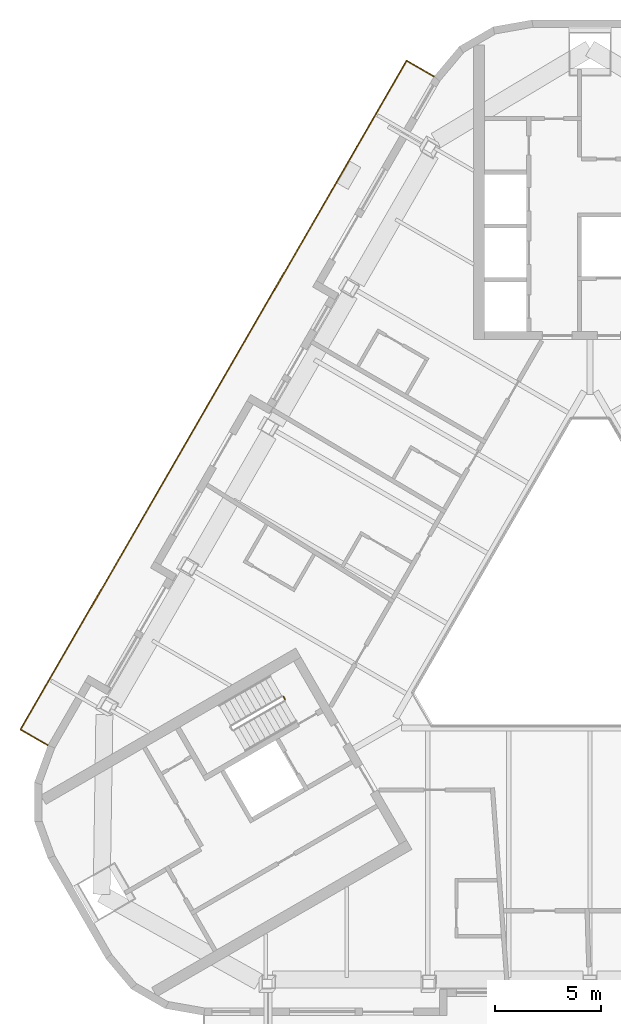
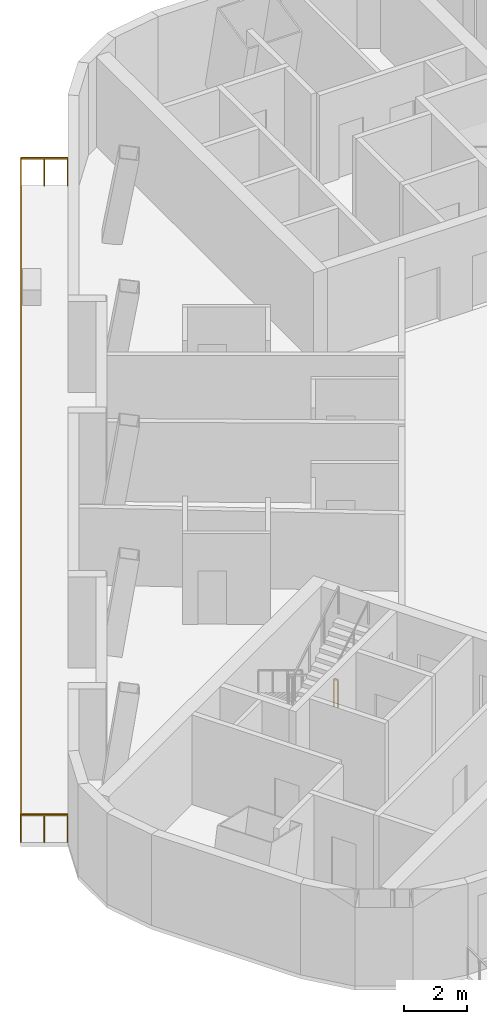
# One storey, part 11 of 14: 2 railings.
"""IFC4 building model written with IfcOpenShell, lengths in metres."""

from ifc_helpers import new_model, si_unit, direction, frame, origin, origin_2d, place, context, subcontext, project, spatial, rectangle, extrude, material, type_object, element, save


model = new_model("IFC4")

# Units and contexts
model_context = context("Model", 3, precision=1e-05, world=origin(), true_north=direction((0.0, 1.0)))
body_context = subcontext(model_context, "Body", "Model", "MODEL_VIEW")
ifc_project = project(units=[si_unit("LENGTHUNIT", "METRE"), si_unit("AREAUNIT", "SQUARE_METRE"), si_unit("VOLUMEUNIT", "CUBIC_METRE"), si_unit("PLANEANGLEUNIT", "RADIAN"), si_unit("MASSUNIT", "GRAM", prefix="KILO")], contexts=[model_context])

# Site, building, storey
site_placement = place(None, origin())
site = spatial("IfcSite", under=ifc_project, at=site_placement, CompositionType="ELEMENT")
building_placement = place(site_placement, origin())
building = spatial("IfcBuilding", under=site, at=building_placement, Name="Apuvela Tower Hotel", CompositionType="ELEMENT")
storey_placement = place(building_placement, frame((0.0, 0.0, 265.199951171875)))
storey = spatial("IfcBuildingStorey", under=building, at=storey_placement, Name="L65", CompositionType="ELEMENT", Elevation=265.199951171875)

# Railings
ifc_material_1 = material(Name="Steel S275 balustrade", Category="steel")
railing_type_1 = type_object("IfcRailingType", Name="COR-GUARD-1100", PredefinedType="GUARDRAIL", material=ifc_material_1)
railing_1_placement = place(storey_placement, frame((-14.500732421875, -3.984130859375, 0.0)))
element("IfcRailing", 1, at=railing_1_placement, inside=storey, type_object=railing_type_1, Name="L65 ST2 stair guard 4", PredefinedType="GUARDRAIL", context=body_context, shape_type="SweptSolid", body=[
    extrude(rectangle(XDim=0.048095703125, YDim=0.048095703125, at=origin_2d()), frame((0.0, 0.0, 1.076171875), z_axis=(0.499816412211, -0.866131372301, 0.0), x_axis=(0.866131372301, 0.499816412211, 0.0)), (0.0, 0.0, 1.0), 0.14990234375),
    extrude(rectangle(XDim=0.0419921875, YDim=0.0419921875, at=origin_2d()), origin(), (0.0, 0.0, 1.0), 1.052001953125),
    extrude(rectangle(XDim=0.0419921875, YDim=0.0419921875, at=origin_2d()), frame((0.074951171875, -0.1298828125, 0.0)), (0.0, 0.0, 1.0), 1.052001953125),
])
ifc_material_2 = material(Name="Stainless steel 316 rail with laminated glass infill", Category="steel")
railing_type_2 = type_object("IfcRailingType", Name="ENV-GUARD-1100", PredefinedType="GUARDRAIL", material=ifc_material_2)
railing_2_placement = place(storey_placement, frame((-7.372802734375, 25.355712890625, 0.0)))
element("IfcRailing", 2, at=railing_2_placement, inside=storey, type_object=railing_type_2, Name="Balcony guard NW L65", PredefinedType="GUARDRAIL", context=body_context, shape_type="SweptSolid", body=[
    extrude(rectangle(XDim=0.050048828125, YDim=0.050048828125, at=origin_2d()), frame((0.0, 0.0, 1.0751953125), z_axis=(-0.866031096941, 0.499990139034, 0.0), x_axis=(-0.499990139034, -0.866031096941, 0.0)), (0.0, 0.0, 1.0), 1.5),
    extrude(rectangle(XDim=0.050048828125, YDim=0.050048828125, at=origin_2d()), frame((-1.299072265625, 0.75, 1.0751953125), z_axis=(-0.499999648787, -0.866025606557, 0.0), x_axis=(0.866025606557, -0.499999648787, 0.0)), (0.0, 0.0, 1.0), 36.54443359375),
    extrude(rectangle(XDim=0.050048828125, YDim=0.050048828125, at=origin_2d()), frame((-19.5712890625, -30.8984375, 1.0751953125), z_axis=(0.866031096941, -0.499990139034, 0.0), x_axis=(0.499990139034, 0.866031096941, 0.0)), (0.0, 0.0, 1.0), 1.5),
    extrude(rectangle(XDim=0.0400390625, YDim=0.0400390625, at=origin_2d()), origin(), (0.0, 0.0, 1.0), 1.050048828125),
    extrude(rectangle(XDim=0.0400390625, YDim=0.0400390625, at=origin_2d()), frame((-0.6494140625, 0.375, 0.0)), (0.0, 0.0, 1.0), 1.050048828125),
    extrude(rectangle(XDim=0.0400390625, YDim=0.0400390625, at=origin_2d()), frame((-1.299072265625, 0.75, 0.0)), (0.0, 0.0, 1.0), 1.050048828125),
    extrude(rectangle(XDim=0.0400390625, YDim=0.0400390625, at=origin_2d()), frame((-1.888427734375, -0.27099609375, 0.0)), (0.0, 0.0, 1.0), 1.050048828125),
    extrude(rectangle(XDim=0.0400390625, YDim=0.0400390625, at=origin_2d()), frame((-2.47802734375, -1.291748046875, 0.0)), (0.0, 0.0, 1.0), 1.050048828125),
    extrude(rectangle(XDim=0.0400390625, YDim=0.0400390625, at=origin_2d()), frame((-3.0673828125, -2.312744140625, 0.0)), (0.0, 0.0, 1.0), 1.050048828125),
    extrude(rectangle(XDim=0.0400390625, YDim=0.0400390625, at=origin_2d()), frame((-3.65673828125, -3.333740234375, 0.0)), (0.0, 0.0, 1.0), 1.050048828125),
    extrude(rectangle(XDim=0.0400390625, YDim=0.0400390625, at=origin_2d()), frame((-4.24609375, -4.3544921875, 0.0)), (0.0, 0.0, 1.0), 1.050048828125),
    extrude(rectangle(XDim=0.0400390625, YDim=0.0400390625, at=origin_2d()), frame((-4.835693359375, -5.37548828125, 0.0)), (0.0, 0.0, 1.0), 1.050048828125),
    extrude(rectangle(XDim=0.0400390625, YDim=0.0400390625, at=origin_2d()), frame((-5.425048828125, -6.396484375, 0.0)), (0.0, 0.0, 1.0), 1.050048828125),
    extrude(rectangle(XDim=0.0400390625, YDim=0.0400390625, at=origin_2d()), frame((-6.014404296875, -7.417236328125, 0.0)), (0.0, 0.0, 1.0), 1.050048828125),
    extrude(rectangle(XDim=0.0400390625, YDim=0.0400390625, at=origin_2d()), frame((-6.60400390625, -8.438232421875, 0.0)), (0.0, 0.0, 1.0), 1.050048828125),
    extrude(rectangle(XDim=0.0400390625, YDim=0.0400390625, at=origin_2d()), frame((-7.193359375, -9.459228515625, 0.0)), (0.0, 0.0, 1.0), 1.050048828125),
    extrude(rectangle(XDim=0.0400390625, YDim=0.0400390625, at=origin_2d()), frame((-7.78271484375, -10.47998046875, 0.0)), (0.0, 0.0, 1.0), 1.050048828125),
    extrude(rectangle(XDim=0.0400390625, YDim=0.0400390625, at=origin_2d()), frame((-8.3720703125, -11.5009765625, 0.0)), (0.0, 0.0, 1.0), 1.050048828125),
    extrude(rectangle(XDim=0.0400390625, YDim=0.0400390625, at=origin_2d()), frame((-8.961669921875, -12.52197265625, 0.0)), (0.0, 0.0, 1.0), 1.050048828125),
    extrude(rectangle(XDim=0.0400390625, YDim=0.0400390625, at=origin_2d()), frame((-9.551025390625, -13.542724609375, 0.0)), (0.0, 0.0, 1.0), 1.050048828125),
    extrude(rectangle(XDim=0.0400390625, YDim=0.0400390625, at=origin_2d()), frame((-10.140380859375, -14.563720703125, 0.0)), (0.0, 0.0, 1.0), 1.050048828125),
    extrude(rectangle(XDim=0.0400390625, YDim=0.0400390625, at=origin_2d()), frame((-10.72998046875, -15.584716796875, 0.0)), (0.0, 0.0, 1.0), 1.050048828125),
    extrude(rectangle(XDim=0.0400390625, YDim=0.0400390625, at=origin_2d()), frame((-11.3193359375, -16.605712890625, 0.0)), (0.0, 0.0, 1.0), 1.050048828125),
    extrude(rectangle(XDim=0.0400390625, YDim=0.0400390625, at=origin_2d()), frame((-11.90869140625, -17.62646484375, 0.0)), (0.0, 0.0, 1.0), 1.050048828125),
    extrude(rectangle(XDim=0.0400390625, YDim=0.0400390625, at=origin_2d()), frame((-12.498291015625, -18.6474609375, 0.0)), (0.0, 0.0, 1.0), 1.050048828125),
    extrude(rectangle(XDim=0.0400390625, YDim=0.0400390625, at=origin_2d()), frame((-13.087646484375, -19.66845703125, 0.0)), (0.0, 0.0, 1.0), 1.050048828125),
    extrude(rectangle(XDim=0.0400390625, YDim=0.0400390625, at=origin_2d()), frame((-13.677001953125, -20.689208984375, 0.0)), (0.0, 0.0, 1.0), 1.050048828125),
    extrude(rectangle(XDim=0.0400390625, YDim=0.0400390625, at=origin_2d()), frame((-14.266357421875, -21.710205078125, 0.0)), (0.0, 0.0, 1.0), 1.050048828125),
    extrude(rectangle(XDim=0.0400390625, YDim=0.0400390625, at=origin_2d()), frame((-14.85595703125, -22.731201171875, 0.0)), (0.0, 0.0, 1.0), 1.050048828125),
    extrude(rectangle(XDim=0.0400390625, YDim=0.0400390625, at=origin_2d()), frame((-15.4453125, -23.751953125, 0.0)), (0.0, 0.0, 1.0), 1.050048828125),
    extrude(rectangle(XDim=0.0400390625, YDim=0.0400390625, at=origin_2d()), frame((-16.03466796875, -24.77294921875, 0.0)), (0.0, 0.0, 1.0), 1.050048828125),
    extrude(rectangle(XDim=0.0400390625, YDim=0.0400390625, at=origin_2d()), frame((-16.624267578125, -25.7939453125, 0.0)), (0.0, 0.0, 1.0), 1.050048828125),
    extrude(rectangle(XDim=0.0400390625, YDim=0.0400390625, at=origin_2d()), frame((-17.213623046875, -26.814697265625, 0.0)), (0.0, 0.0, 1.0), 1.050048828125),
    extrude(rectangle(XDim=0.0400390625, YDim=0.0400390625, at=origin_2d()), frame((-17.802978515625, -27.835693359375, 0.0)), (0.0, 0.0, 1.0), 1.050048828125),
    extrude(rectangle(XDim=0.0400390625, YDim=0.0400390625, at=origin_2d()), frame((-18.392333984375, -28.856689453125, 0.0)), (0.0, 0.0, 1.0), 1.050048828125),
    extrude(rectangle(XDim=0.0400390625, YDim=0.0400390625, at=origin_2d()), frame((-18.98193359375, -29.87744140625, 0.0)), (0.0, 0.0, 1.0), 1.050048828125),
    extrude(rectangle(XDim=0.0400390625, YDim=0.0400390625, at=origin_2d()), frame((-19.5712890625, -30.8984375, 0.0)), (0.0, 0.0, 1.0), 1.050048828125),
    extrude(rectangle(XDim=0.0400390625, YDim=0.0400390625, at=origin_2d()), frame((-18.921875, -31.2734375, 0.0)), (0.0, 0.0, 1.0), 1.050048828125),
    extrude(rectangle(XDim=0.0400390625, YDim=0.0400390625, at=origin_2d()), frame((-18.272216796875, -31.6484375, 0.0)), (0.0, 0.0, 1.0), 1.050048828125),
])

save(model, "model.ifc")
